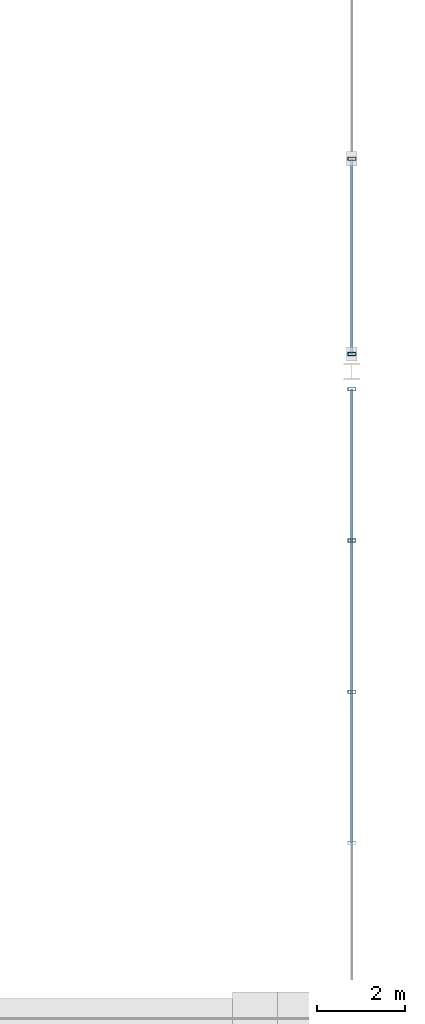
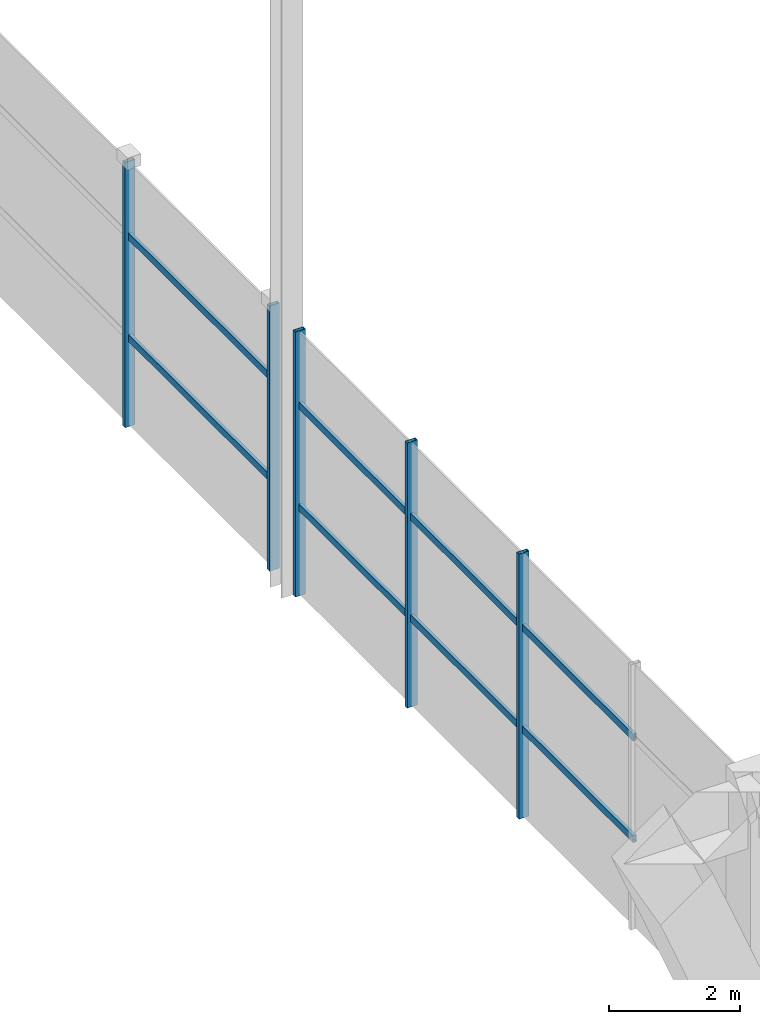
# One storey, part 97 of 148: 13 members, 2 elements without a shape of their own.
"""IFC4 building model written with IfcOpenShell, lengths in metres."""

from ifc_helpers import new_model, si_unit, direction, frame, origin, origin_2d, place, context, subcontext, project, spatial, hollow_rectangle, extrude, material, material_profile, profile_set, type_object, element, aggregate, save


model = new_model("IFC4")

# Units and contexts
model_context = context("Model", 3, precision=1e-05, world=origin(), true_north=direction((0.0, 1.0)))
body_context = subcontext(model_context, "Body", "Model", "MODEL_VIEW")
ifc_project = project(units=[si_unit("LENGTHUNIT", "METRE"), si_unit("AREAUNIT", "SQUARE_METRE"), si_unit("VOLUMEUNIT", "CUBIC_METRE"), si_unit("PLANEANGLEUNIT", "RADIAN"), si_unit("MASSUNIT", "GRAM", prefix="KILO")], contexts=[model_context])

# Site, building, storey
site_placement = place(None, origin())
site = spatial("IfcSite", under=ifc_project, at=site_placement, CompositionType="ELEMENT")
building_placement = place(site_placement, origin())
building = spatial("IfcBuilding", under=site, at=building_placement, Name="Ologun Quay Terminus", CompositionType="ELEMENT")
storey_placement = place(building_placement, frame((0.0, 0.0, 8.39990234375)))
storey = spatial("IfcBuildingStorey", under=building, at=storey_placement, Name="L02", CompositionType="ELEMENT", Elevation=8.39990234375)

# Curtain wall, members
ifc_material_1 = material(Name="Aluminium 6063-T6", Category="aluminium")
curtain_wall_type_1 = type_object("IfcCurtainWallType", Name="Train Shed Gable Arch Screen 13500x4900", PredefinedType="USERDEFINED", material=ifc_material_1)
curtain_wall_1_placement = place(storey_placement, origin())
curtain_wall_1 = element("IfcCurtainWall", 1, at=curtain_wall_1_placement, inside=storey, type_object=curtain_wall_type_1, Name="CW-10 Curtain Wall CW-GBL-E1", ObjectType="UNITISED CURTAIN WALL", PredefinedType="USERDEFINED")
ifc_material_2 = material(Name="Aluminium 6063-T6", Category="aluminium")
ifc_material_profile_1 = material_profile(ifc_material_2, hollow_rectangle(XDim=0.070068359375, YDim=0.179931640625, WallThickness=0.0048828125, at=origin_2d()), Name="ALU 180x70x5")
ifc_profile_set_1 = profile_set([ifc_material_profile_1], Name="Aluminium 6063-T6")
member_type_1 = type_object("IfcMemberType", Name="Concourse Clerestory Mullion 180x70", PredefinedType="MULLION", material=ifc_profile_set_1)
member_1_placement = place(storey_placement, frame((184.0, 43.25, 0.14013671875), z_axis=(0.0, 0.0, 1.0), x_axis=(0.0, 1.0, 0.0)))
member_1 = element("IfcMember", 2, at=member_1_placement, type_object=member_type_1, Name="CW-GBL-E1 Mullion 3", PredefinedType="MULLION", context=body_context, shape_type="SweptSolid", body=[
    extrude(hollow_rectangle(XDim=0.070068359375, YDim=0.179931640625, WallThickness=0.0048828125, at=origin_2d()), origin(), (0.0, 0.0, 1.0), 4.9599609375),
])
member_2_placement = place(storey_placement, frame((184.0, 46.675048828125, 0.14013671875), z_axis=(0.0, 0.0, 1.0), x_axis=(0.0, 1.0, 0.0)))
member_2 = element("IfcMember", 3, at=member_2_placement, type_object=member_type_1, Name="CW-GBL-E1 Mullion 4", PredefinedType="MULLION", context=body_context, shape_type="SweptSolid", body=[
    extrude(hollow_rectangle(XDim=0.070068359375, YDim=0.179931640625, WallThickness=0.0048828125, at=origin_2d()), origin(), (0.0, 0.0, 1.0), 4.9599609375),
])
member_3_placement = place(storey_placement, frame((184.0, 50.10009765625, 0.14013671875), z_axis=(0.0, 0.0, 1.0), x_axis=(0.0, 1.0, 0.0)))
member_3 = element("IfcMember", 4, at=member_3_placement, type_object=member_type_1, Name="CW-GBL-E1 Mullion 5", PredefinedType="MULLION", context=body_context, shape_type="SweptSolid", body=[
    extrude(hollow_rectangle(XDim=0.070068359375, YDim=0.179931640625, WallThickness=0.0048828125, at=origin_2d()), origin(), (0.0, 0.0, 1.0), 4.9599609375),
])

ifc_material_3 = material(Name="Aluminium 6063-T6", Category="aluminium")
curtain_wall_type_2 = type_object("IfcCurtainWallType", Name="Train Shed Gable Center Screen 17500x4900", PredefinedType="USERDEFINED", material=ifc_material_3)
curtain_wall_2_placement = place(storey_placement, origin())
curtain_wall_2 = element("IfcCurtainWall", 5, at=curtain_wall_2_placement, inside=storey, type_object=curtain_wall_type_2, Name="CW-11 Curtain Wall CW-GBL-E2", ObjectType="UNITISED CURTAIN WALL", PredefinedType="USERDEFINED")
member_4_placement = place(storey_placement, frame((184.0, 50.89990234375, 0.14013671875), z_axis=(0.0, 0.0, 1.0), x_axis=(0.0, 1.0, 0.0)))
member_4 = element("IfcMember", 6, at=member_4_placement, type_object=member_type_1, Name="CW-GBL-E2 Mullion 1", PredefinedType="MULLION", context=body_context, shape_type="SweptSolid", body=[
    extrude(hollow_rectangle(XDim=0.070068359375, YDim=0.179931640625, WallThickness=0.0048828125, at=origin_2d()), origin(), (0.0, 0.0, 1.0), 4.9599609375),
])
member_5_placement = place(storey_placement, frame((184.0, 55.324951171875, 0.14013671875), z_axis=(0.0, 0.0, 1.0), x_axis=(0.0, 1.0, 0.0)))
member_5 = element("IfcMember", 7, at=member_5_placement, type_object=member_type_1, Name="CW-GBL-E2 Mullion 2", PredefinedType="MULLION", context=body_context, shape_type="SweptSolid", body=[
    extrude(hollow_rectangle(XDim=0.070068359375, YDim=0.179931640625, WallThickness=0.0048828125, at=origin_2d()), origin(), (0.0, 0.0, 1.0), 4.9599609375),
])

# Member
ifc_material_4 = material(Name="Aluminium 6063-T6", Category="aluminium")
ifc_material_profile_2 = material_profile(ifc_material_4, hollow_rectangle(XDim=0.06005859375, YDim=0.1298828125, WallThickness=0.00390625, at=origin_2d()), Name="ALU 130x60x4")
ifc_profile_set_2 = profile_set([ifc_material_profile_2], Name="Aluminium 6063-T6")
member_type_2 = type_object("IfcMemberType", Name="Concourse Clerestory Transom 130x60", PredefinedType="USERDEFINED", material=ifc_profile_set_2)
member_6_placement = place(storey_placement, frame((184.0, 39.824951171875, 1.800048828125), z_axis=(0.0, 1.0, 0.0), x_axis=(-1.0, 0.0, 0.0)))
member_6 = element("IfcMember", 8, at=member_6_placement, type_object=member_type_2, Name="CW-GBL-E1 Transom B2-1", ObjectType="TRANSOM", PredefinedType="USERDEFINED", context=body_context, shape_type="SweptSolid", body=[
    extrude(hollow_rectangle(XDim=0.06005859375, YDim=0.1298828125, WallThickness=0.00390625, at=origin_2d()), origin(), (0.0, 0.0, 1.0), 3.425048828125),
])

member_7_placement = place(storey_placement, frame((184.0, 39.824951171875, 3.7001953125), z_axis=(0.0, 1.0, 0.0), x_axis=(-1.0, 0.0, 0.0)))
member_7 = element("IfcMember", 9, at=member_7_placement, type_object=member_type_2, Name="CW-GBL-E1 Transom B2-2", ObjectType="TRANSOM", PredefinedType="USERDEFINED", context=body_context, shape_type="SweptSolid", body=[
    extrude(hollow_rectangle(XDim=0.06005859375, YDim=0.1298828125, WallThickness=0.00390625, at=origin_2d()), origin(), (0.0, 0.0, 1.0), 3.425048828125),
])

member_8_placement = place(storey_placement, frame((184.0, 43.25, 1.800048828125), z_axis=(0.0, 1.0, 0.0), x_axis=(-1.0, 0.0, 0.0)))
member_8 = element("IfcMember", 10, at=member_8_placement, type_object=member_type_2, Name="CW-GBL-E1 Transom B3-1", ObjectType="TRANSOM", PredefinedType="USERDEFINED", context=body_context, shape_type="SweptSolid", body=[
    extrude(hollow_rectangle(XDim=0.06005859375, YDim=0.1298828125, WallThickness=0.00390625, at=origin_2d()), origin(), (0.0, 0.0, 1.0), 3.425048828125),
])

member_9_placement = place(storey_placement, frame((184.0, 43.25, 3.7001953125), z_axis=(0.0, 1.0, 0.0), x_axis=(-1.0, 0.0, 0.0)))
member_9 = element("IfcMember", 11, at=member_9_placement, type_object=member_type_2, Name="CW-GBL-E1 Transom B3-2", ObjectType="TRANSOM", PredefinedType="USERDEFINED", context=body_context, shape_type="SweptSolid", body=[
    extrude(hollow_rectangle(XDim=0.06005859375, YDim=0.1298828125, WallThickness=0.00390625, at=origin_2d()), origin(), (0.0, 0.0, 1.0), 3.425048828125),
])

member_10_placement = place(storey_placement, frame((184.0, 46.675048828125, 1.800048828125), z_axis=(0.0, 1.0, 0.0), x_axis=(-1.0, 0.0, 0.0)))
member_10 = element("IfcMember", 12, at=member_10_placement, type_object=member_type_2, Name="CW-GBL-E1 Transom B4-1", ObjectType="TRANSOM", PredefinedType="USERDEFINED", context=body_context, shape_type="SweptSolid", body=[
    extrude(hollow_rectangle(XDim=0.06005859375, YDim=0.1298828125, WallThickness=0.00390625, at=origin_2d()), origin(), (0.0, 0.0, 1.0), 3.425048828125),
])

member_11_placement = place(storey_placement, frame((184.0, 46.675048828125, 3.7001953125), z_axis=(0.0, 1.0, 0.0), x_axis=(-1.0, 0.0, 0.0)))
member_11 = element("IfcMember", 13, at=member_11_placement, type_object=member_type_2, Name="CW-GBL-E1 Transom B4-2", ObjectType="TRANSOM", PredefinedType="USERDEFINED", context=body_context, shape_type="SweptSolid", body=[
    extrude(hollow_rectangle(XDim=0.06005859375, YDim=0.1298828125, WallThickness=0.00390625, at=origin_2d()), origin(), (0.0, 0.0, 1.0), 3.425048828125),
])

aggregate(curtain_wall_1, [member_1, member_2, member_3, member_6, member_7, member_8, member_9, member_10, member_11])

member_12_placement = place(storey_placement, frame((184.0, 50.89990234375, 1.800048828125), z_axis=(0.0, 1.0, 0.0), x_axis=(-1.0, 0.0, 0.0)))
member_12 = element("IfcMember", 14, at=member_12_placement, type_object=member_type_2, Name="CW-GBL-E2 Transom B1-1", ObjectType="TRANSOM", PredefinedType="USERDEFINED", context=body_context, shape_type="SweptSolid", body=[
    extrude(hollow_rectangle(XDim=0.06005859375, YDim=0.1298828125, WallThickness=0.00390625, at=origin_2d()), origin(), (0.0, 0.0, 1.0), 4.425048828125),
])

member_13_placement = place(storey_placement, frame((184.0, 50.89990234375, 3.7001953125), z_axis=(0.0, 1.0, 0.0), x_axis=(-1.0, 0.0, 0.0)))
member_13 = element("IfcMember", 15, at=member_13_placement, type_object=member_type_2, Name="CW-GBL-E2 Transom B1-2", ObjectType="TRANSOM", PredefinedType="USERDEFINED", context=body_context, shape_type="SweptSolid", body=[
    extrude(hollow_rectangle(XDim=0.06005859375, YDim=0.1298828125, WallThickness=0.00390625, at=origin_2d()), origin(), (0.0, 0.0, 1.0), 4.425048828125),
])

aggregate(curtain_wall_2, [member_4, member_5, member_12, member_13])

save(model, "model.ifc")
